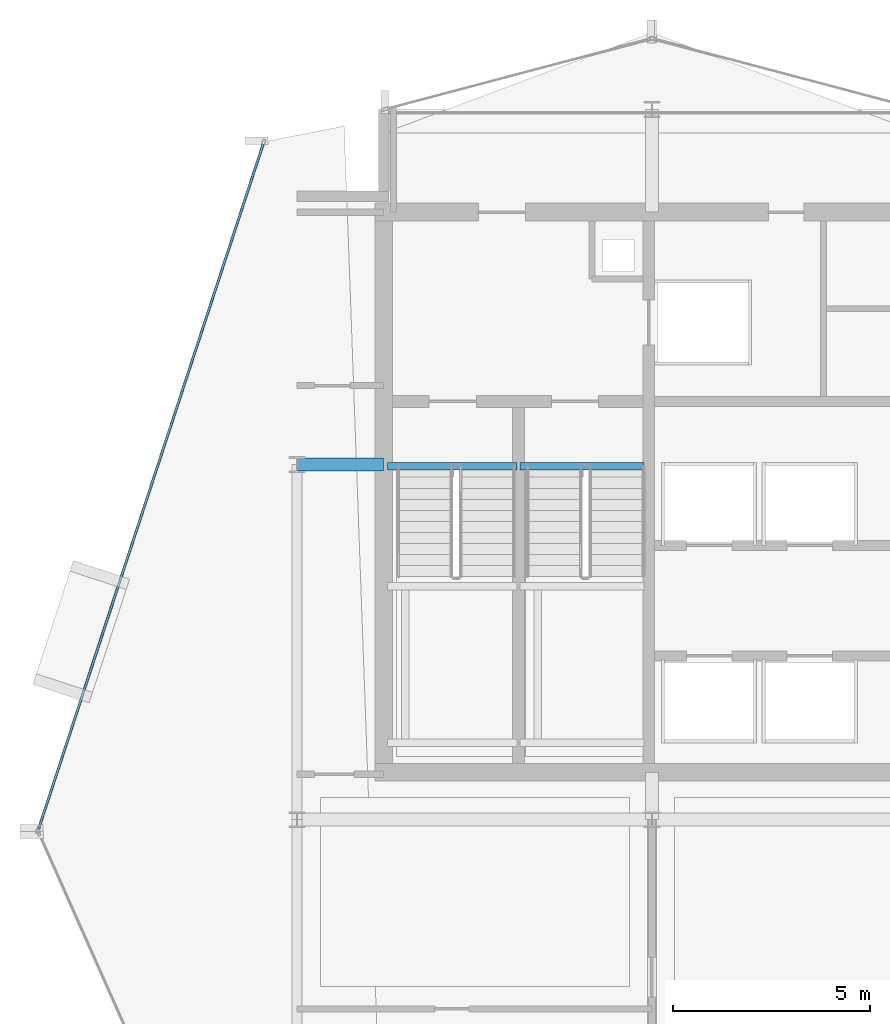
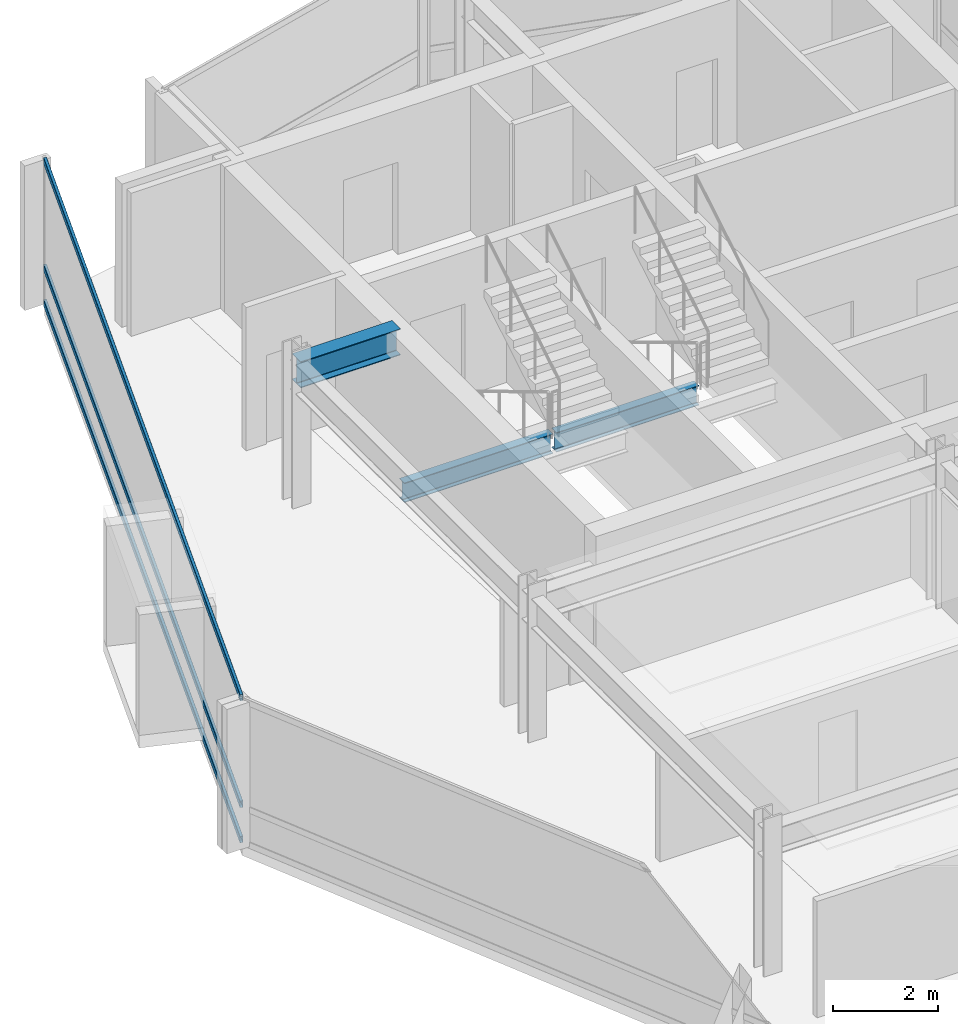
# One storey, part 15 of 27: 3 beams, 3 members, 1 element without a shape of its own.
"""IFC4 building model written with IfcOpenShell, lengths in metres."""

from ifc_helpers import new_model, si_unit, direction, frame, origin, origin_2d, place, context, subcontext, project, spatial, hollow_rectangle, i_section, extrude, material, layer, layer_set, material_profile, profile_set, type_object, element, aggregate, save


model = new_model("IFC4")

# Units and contexts
model_context = context("Model", 3, precision=1e-05, world=origin(), true_north=direction((0.0, 1.0)))
body_context = subcontext(model_context, "Body", "Model", "MODEL_VIEW")
ifc_project = project(units=[si_unit("LENGTHUNIT", "METRE"), si_unit("AREAUNIT", "SQUARE_METRE"), si_unit("VOLUMEUNIT", "CUBIC_METRE"), si_unit("PLANEANGLEUNIT", "RADIAN"), si_unit("MASSUNIT", "GRAM", prefix="KILO")], contexts=[model_context])

# Site, building, storey
site_placement = place(None, origin())
site = spatial("IfcSite", under=ifc_project, at=site_placement, CompositionType="ELEMENT")
building_placement = place(site_placement, origin())
building = spatial("IfcBuilding", under=site, at=building_placement, Name="Solvaryn Broadcast Tower", CompositionType="ELEMENT")
storey_placement = place(building_placement, frame((0.0, 0.0, 232.10009765625)))
storey = spatial("IfcBuildingStorey", under=building, at=storey_placement, Name="L58", CompositionType="ELEMENT", Elevation=232.10009765625)

# Beams
ifc_material_1 = material(Name="Steel ASTM A992 Grade 50", Category="steel")
ifc_material_profile_1 = material_profile(ifc_material_1, i_section(OverallWidth=0.323974609375, OverallDepth=0.611083984375, WebThickness=0.0126953125, FlangeThickness=0.01904296875, FilletRadius=0.014892578125, at=origin_2d()))
ifc_profile_set_1 = profile_set([ifc_material_profile_1], Name="Steel ASTM A992 Grade 50")
beam_type_1 = type_object("IfcBeamType", Name="BM-B1-W24X104", PredefinedType="BEAM", material=ifc_profile_set_1)
beam_1_placement = place(storey_placement, frame((9.0, 36.0, 3.064453125), z_axis=(1.0, 0.0, 0.0), x_axis=(0.0, 1.0, 0.0)))
element("IfcBeam", 1, at=beam_1_placement, inside=storey, type_object=beam_type_1, Name="L58 Core Tie Beam CTW1", PredefinedType="BEAM", context=body_context, shape_type="SweptSolid", body=[
    extrude(i_section(OverallWidth=0.323974609375, OverallDepth=0.611083984375, WebThickness=0.0126953125, FlangeThickness=0.01904296875, FilletRadius=0.014892578125, at=origin_2d()), origin(), (0.0, 0.0, 1.0), 2.199951171875),
])
ifc_material_2 = material(Name="Steel ASTM A992 Grade 50", Category="steel")
ifc_material_profile_2 = material_profile(ifc_material_2, i_section(OverallWidth=0.18994140625, OverallDepth=0.45703125, WebThickness=0.009033203125, FlangeThickness=0.014404296875, FilletRadius=0.011962890625, at=origin_2d()))
ifc_profile_set_2 = profile_set([ifc_material_profile_2], Name="Steel ASTM A992 Grade 50")
beam_type_2 = type_object("IfcBeamType", Name="BM-B4-W18X50", PredefinedType="BEAM", material=ifc_profile_set_2)
beam_2_placement = place(storey_placement, frame((11.300048828125, 35.9599609375, -0.508544921875), z_axis=(1.0, 0.0, 0.0), x_axis=(0.0, 1.0, 0.0)))
element("IfcBeam", 2, at=beam_2_placement, inside=storey, type_object=beam_type_2, Name="L58 ST1 Stair Well Trimmer Beam", PredefinedType="BEAM", context=body_context, shape_type="SweptSolid", body=[
    extrude(i_section(OverallWidth=0.18994140625, OverallDepth=0.45703125, WebThickness=0.009033203125, FlangeThickness=0.014404296875, FilletRadius=0.011962890625, at=origin_2d()), origin(), (0.0, 0.0, 1.0), 3.280029296875),
])
beam_3_placement = place(storey_placement, frame((14.659912109375, 35.9599609375, -0.508544921875), z_axis=(1.0, 0.0, 0.0), x_axis=(0.0, 1.0, 0.0)))
element("IfcBeam", 3, at=beam_3_placement, inside=storey, type_object=beam_type_2, Name="L58 ST2 Stair Well Trimmer Beam", PredefinedType="BEAM", context=body_context, shape_type="SweptSolid", body=[
    extrude(i_section(OverallWidth=0.18994140625, OverallDepth=0.45703125, WebThickness=0.009033203125, FlangeThickness=0.014404296875, FilletRadius=0.011962890625, at=origin_2d()), origin(), (0.0, 0.0, 1.0), 3.14013671875),
])

# Curtain wall, members
ifc_material_3 = material(Name="Aluminium and Terracotta Unitised Curtain Wall", Category="masonry")
ifc_layer = layer(ifc_material_3, 0.199951171875)
ifc_layer_set = layer_set([ifc_layer], Name="CW-SYS2-LOWMID")
curtain_wall_type = type_object("IfcCurtainWallType", Name="CW-SYS2-LOWMID", PredefinedType="NOTDEFINED", material=ifc_layer_set)
curtain_wall_placement = place(storey_placement, origin())
curtain_wall = element("IfcCurtainWall", 4, at=curtain_wall_placement, inside=storey, type_object=curtain_wall_type, Name="L58 Curtain Wall DR1", PredefinedType="NOTDEFINED")
ifc_material_4 = material(Name="Anodised Aluminium 6063-T6", Category="aluminium")
ifc_material_profile_3 = material_profile(ifc_material_4, hollow_rectangle(XDim=0.06494140625, YDim=0.14990234375, WallThickness=0.00390625, InnerFilletRadius=0.00390625, OuterFilletRadius=0.008056640625, at=origin_2d()))
ifc_profile_set_3 = profile_set([ifc_material_profile_3], Name="Anodised Aluminium 6063-T6")
member_type = type_object("IfcMemberType", Name="CW-TRN-150", PredefinedType="USERDEFINED", material=ifc_profile_set_3)
member_1_placement = place(storey_placement, frame((8.144287109375, 44.125, 0.02978515625), z_axis=(-0.311557987209, -0.950227141586, 0.0), x_axis=(0.950227141586, -0.311557987209, 0.0)))
member_1 = element("IfcMember", 5, at=member_1_placement, type_object=member_type, Name="CWS2 transom 1.1", ObjectType="TRANSOM", PredefinedType="USERDEFINED", context=body_context, shape_type="SweptSolid", body=[
    extrude(hollow_rectangle(XDim=0.06494140625, YDim=0.14990234375, WallThickness=0.00390625, InnerFilletRadius=0.00390625, OuterFilletRadius=0.008056640625, at=origin_2d()), origin(), (0.0, 0.0, 1.0), 18.271484375),
])
member_2_placement = place(storey_placement, frame((8.144287109375, 44.125, 0.849853515625), z_axis=(-0.311557987209, -0.950227141586, 0.0), x_axis=(0.950227141586, -0.311557987209, 0.0)))
member_2 = element("IfcMember", 6, at=member_2_placement, type_object=member_type, Name="CWS2 transom 1.2", ObjectType="TRANSOM", PredefinedType="USERDEFINED", context=body_context, shape_type="SweptSolid", body=[
    extrude(hollow_rectangle(XDim=0.06494140625, YDim=0.14990234375, WallThickness=0.00390625, InnerFilletRadius=0.00390625, OuterFilletRadius=0.008056640625, at=origin_2d()), origin(), (0.0, 0.0, 1.0), 18.271484375),
])
member_3_placement = place(storey_placement, frame((8.144287109375, 44.125, 3.33984375), z_axis=(-0.311557987209, -0.950227141586, 0.0), x_axis=(0.950227141586, -0.311557987209, 0.0)))
member_3 = element("IfcMember", 7, at=member_3_placement, type_object=member_type, Name="CWS2 transom 1.3", ObjectType="TRANSOM", PredefinedType="USERDEFINED", context=body_context, shape_type="SweptSolid", body=[
    extrude(hollow_rectangle(XDim=0.06494140625, YDim=0.14990234375, WallThickness=0.00390625, InnerFilletRadius=0.00390625, OuterFilletRadius=0.008056640625, at=origin_2d()), origin(), (0.0, 0.0, 1.0), 18.271484375),
])
aggregate(curtain_wall, [member_1, member_2, member_3])

save(model, "model.ifc")
